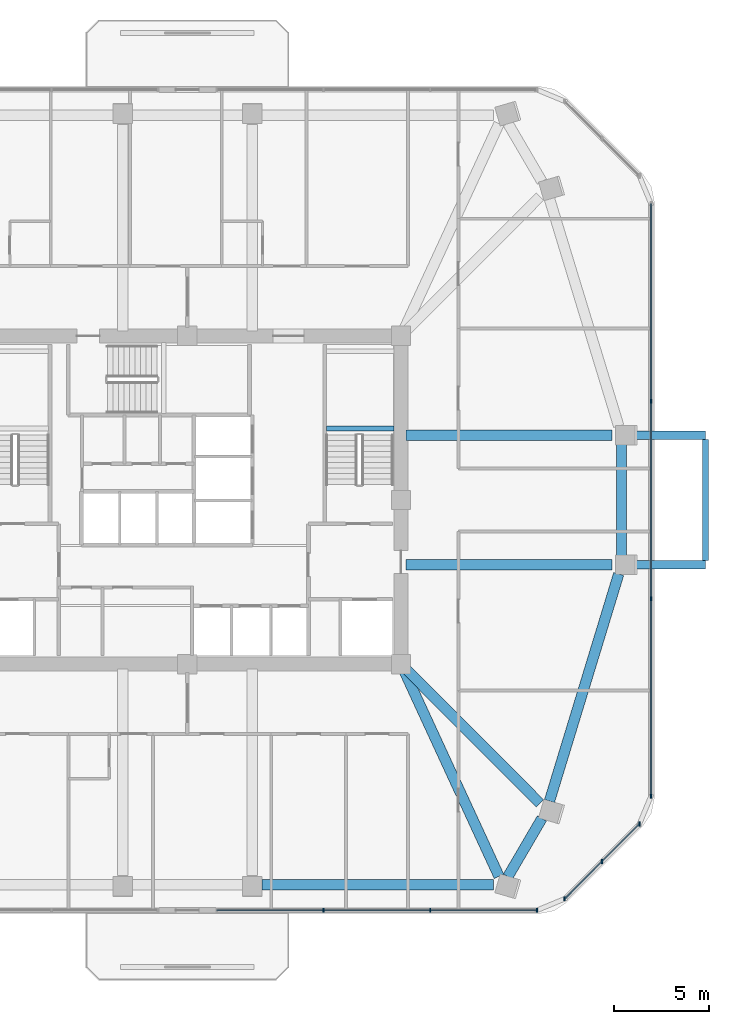
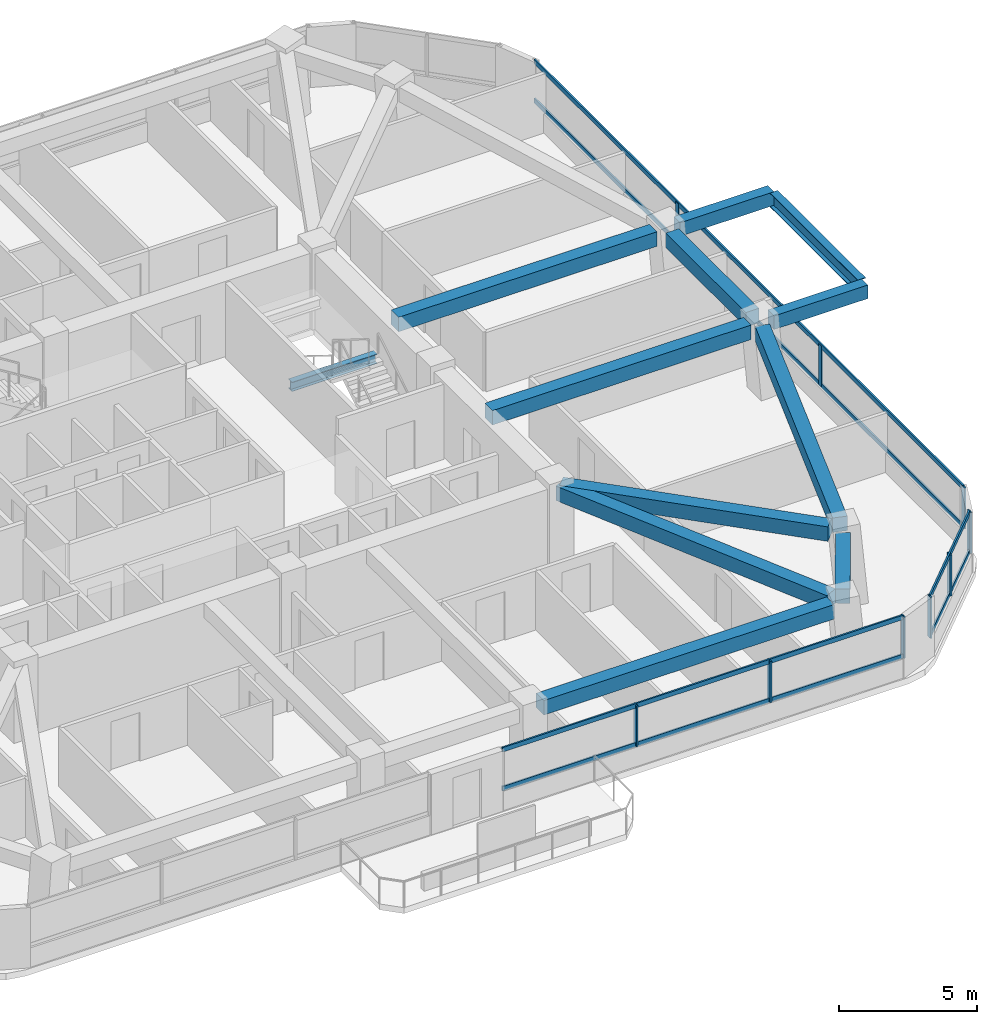
# One storey, part 4 of 13: 15 members, 12 beams, 3 elements without a shape of their own.
"""IFC4 building model written with IfcOpenShell, lengths in metres."""

from ifc_helpers import new_model, si_unit, derived_unit, direction, frame, origin, origin_2d, place, context, subcontext, project, spatial, rectangle, i_section, extrude, material, material_profile, profile_set, type_object, element, aggregate, save


model = new_model("IFC4")

# Units and contexts
model_context = context("Model", 3, precision=1e-05, world=origin(), true_north=direction((0.0, 1.0)))
body_context = subcontext(model_context, "Body", "Model", "MODEL_VIEW")
ifc_project = project(units=[si_unit("LENGTHUNIT", "METRE"), si_unit("AREAUNIT", "SQUARE_METRE"), si_unit("VOLUMEUNIT", "CUBIC_METRE"), si_unit("PLANEANGLEUNIT", "RADIAN"), si_unit("MASSUNIT", "GRAM", prefix="KILO"), derived_unit("THERMALTRANSMITTANCEUNIT", [(si_unit("POWERUNIT", "WATT"), 1), (si_unit("LENGTHUNIT", "METRE"), -2), (si_unit("THERMODYNAMICTEMPERATUREUNIT", "KELVIN"), -1)])], contexts=[model_context])

# Site, building, storey
site_placement = place(None, origin())
site = spatial("IfcSite", under=ifc_project, at=site_placement, CompositionType="ELEMENT")
building_placement = place(site_placement, origin())
building = spatial("IfcBuilding", under=site, at=building_placement, Name="Koralith Skygarden Medical Center", CompositionType="ELEMENT")
storey_placement = place(building_placement, frame((0.0, 0.0, 117.179931640625)))
storey = spatial("IfcBuildingStorey", under=building, at=storey_placement, Name="L30", CompositionType="ELEMENT", Elevation=117.179931640625)

# Curtain wall, members
ifc_material_1 = material(Name="Clear Laminated Glass", Category="glass")
curtain_wall_type = type_object("IfcCurtainWallType", Name="CW-3 Zone 2 Faceted Solar Curtain Wall", PredefinedType="NOTDEFINED", material=ifc_material_1)
curtain_wall_1_placement = place(storey_placement, origin())
curtain_wall_1 = element("IfcCurtainWall", 1, at=curtain_wall_1_placement, inside=storey, type_object=curtain_wall_type, Name="Curtain Wall CW-L30-S-R", PredefinedType="NOTDEFINED")
ifc_material_2 = material(Name="Aluminium 6063-T6", Category="aluminium")
ifc_material_profile_1 = material_profile(ifc_material_2, rectangle(XDim=0.073974609375, YDim=0.219970703125, at=origin_2d()), Name="MUL74X220")
ifc_profile_set_1 = profile_set([ifc_material_profile_1], Name="Aluminium 6063-T6")
member_type_1 = type_object("IfcMemberType", Name="CW-3 Extruded Mullion 74x220", PredefinedType="MULLION", material=ifc_profile_set_1)
member_1_placement = place(storey_placement, frame((44.135009765625, 4.387939453125, 0.85009765625), z_axis=(0.0, 0.0, 1.0), x_axis=(1.0, 0.0, 0.0)))
member_1 = element("IfcMember", 2, at=member_1_placement, type_object=member_type_1, Name="CW-L30-S-R Mullion 2", PredefinedType="MULLION", context=body_context, shape_type="SweptSolid", body=[
    extrude(rectangle(XDim=0.073974609375, YDim=0.219970703125, at=origin_2d()), origin(), (0.0, 0.0, 1.0), 1.820068359375),
])
member_2_placement = place(storey_placement, frame((49.73095703125, 4.387939453125, 0.85009765625), z_axis=(0.0, 0.0, 1.0), x_axis=(1.0, 0.0, 0.0)))
member_2 = element("IfcMember", 3, at=member_2_placement, type_object=member_type_1, Name="CW-L30-S-R Mullion 3", PredefinedType="MULLION", context=body_context, shape_type="SweptSolid", body=[
    extrude(rectangle(XDim=0.073974609375, YDim=0.219970703125, at=origin_2d()), origin(), (0.0, 0.0, 1.0), 1.820068359375),
])
member_3_placement = place(storey_placement, frame((55.325927734375, 4.387939453125, 0.85009765625), z_axis=(0.0, 0.0, 1.0), x_axis=(1.0, 0.0, 0.0)))
member_3 = element("IfcMember", 4, at=member_3_placement, type_object=member_type_1, Name="CW-L30-S-R Mullion 4", PredefinedType="MULLION", context=body_context, shape_type="SweptSolid", body=[
    extrude(rectangle(XDim=0.073974609375, YDim=0.219970703125, at=origin_2d()), origin(), (0.0, 0.0, 1.0), 1.820068359375),
])

curtain_wall_2_placement = place(storey_placement, origin())
curtain_wall_2 = element("IfcCurtainWall", 5, at=curtain_wall_2_placement, inside=storey, type_object=curtain_wall_type, Name="Curtain Wall CW-L30-SE", PredefinedType="NOTDEFINED")
member_4_placement = place(storey_placement, frame((56.777099609375, 4.989013671875, 0.85009765625), z_axis=(0.0, 0.0, 1.0), x_axis=(1.0, 0.0, 0.0)))
member_4 = element("IfcMember", 6, at=member_4_placement, type_object=member_type_1, Name="CW-L30-SE Mullion 1", PredefinedType="MULLION", context=body_context, shape_type="SweptSolid", body=[
    extrude(rectangle(XDim=0.073974609375, YDim=0.219970703125, at=origin_2d()), origin(), (0.0, 0.0, 1.0), 1.820068359375),
])
member_5_placement = place(storey_placement, frame((58.739013671875, 6.949951171875, 0.85009765625), z_axis=(0.0, 0.0, 1.0), x_axis=(1.0, 0.0, 0.0)))
member_5 = element("IfcMember", 7, at=member_5_placement, type_object=member_type_1, Name="CW-L30-SE Mullion 2", PredefinedType="MULLION", context=body_context, shape_type="SweptSolid", body=[
    extrude(rectangle(XDim=0.073974609375, YDim=0.219970703125, at=origin_2d()), origin(), (0.0, 0.0, 1.0), 1.820068359375),
])
member_6_placement = place(storey_placement, frame((60.699951171875, 8.912109375, 0.85009765625), z_axis=(0.0, 0.0, 1.0), x_axis=(1.0, 0.0, 0.0)))
member_6 = element("IfcMember", 8, at=member_6_placement, type_object=member_type_1, Name="CW-L30-SE Mullion 3", PredefinedType="MULLION", context=body_context, shape_type="SweptSolid", body=[
    extrude(rectangle(XDim=0.073974609375, YDim=0.219970703125, at=origin_2d()), origin(), (0.0, 0.0, 1.0), 1.820068359375),
])

curtain_wall_3_placement = place(storey_placement, origin())
curtain_wall_3 = element("IfcCurtainWall", 9, at=curtain_wall_3_placement, inside=storey, type_object=curtain_wall_type, Name="Curtain Wall CW-L30-E", PredefinedType="NOTDEFINED")
member_7_placement = place(storey_placement, frame((61.302001953125, 10.363037109375, 0.85009765625), z_axis=(0.0, 0.0, 1.0), x_axis=(1.0, 0.0, 0.0)))
member_7 = element("IfcMember", 10, at=member_7_placement, type_object=member_type_1, Name="CW-L30-E Mullion 1", PredefinedType="MULLION", context=body_context, shape_type="SweptSolid", body=[
    extrude(rectangle(XDim=0.073974609375, YDim=0.219970703125, at=origin_2d()), origin(), (0.0, 0.0, 1.0), 1.820068359375),
])
member_8_placement = place(storey_placement, frame((61.302001953125, 20.720947265625, 0.85009765625), z_axis=(0.0, 0.0, 1.0), x_axis=(1.0, 0.0, 0.0)))
member_8 = element("IfcMember", 11, at=member_8_placement, type_object=member_type_1, Name="CW-L30-E Mullion 2", PredefinedType="MULLION", context=body_context, shape_type="SweptSolid", body=[
    extrude(rectangle(XDim=0.073974609375, YDim=0.219970703125, at=origin_2d()), origin(), (0.0, 0.0, 1.0), 1.820068359375),
])
member_9_placement = place(storey_placement, frame((61.302001953125, 31.0791015625, 0.85009765625), z_axis=(0.0, 0.0, 1.0), x_axis=(1.0, 0.0, 0.0)))
member_9 = element("IfcMember", 12, at=member_9_placement, type_object=member_type_1, Name="CW-L30-E Mullion 3", PredefinedType="MULLION", context=body_context, shape_type="SweptSolid", body=[
    extrude(rectangle(XDim=0.073974609375, YDim=0.219970703125, at=origin_2d()), origin(), (0.0, 0.0, 1.0), 1.820068359375),
])

# Member
ifc_material_profile_2 = material_profile(ifc_material_2, rectangle(XDim=0.069091796875, YDim=0.197998046875, at=origin_2d()), Name="TRN69X198")
ifc_profile_set_2 = profile_set([ifc_material_profile_2], Name="Aluminium 6063-T6")
member_type_2 = type_object("IfcMemberType", Name="CW-3 Thermal Transom 69x198", PredefinedType="USERDEFINED", material=ifc_profile_set_2)
member_10_placement = place(storey_placement, frame((38.5400390625, 4.387939453125, 0.900146484375), z_axis=(1.0, 0.0, 0.0), x_axis=(0.0, 1.0, 0.0)))
member_10 = element("IfcMember", 13, at=member_10_placement, type_object=member_type_2, Name="CW-L30-S-R Transom 1", ObjectType="TRANSOM", PredefinedType="USERDEFINED", context=body_context, shape_type="SweptSolid", body=[
    extrude(rectangle(XDim=0.069091796875, YDim=0.197998046875, at=origin_2d()), origin(), (0.0, 0.0, 1.0), 16.785888671875),
])

member_11_placement = place(storey_placement, frame((38.5400390625, 4.387939453125, 2.6201171875), z_axis=(1.0, 0.0, 0.0), x_axis=(0.0, 1.0, 0.0)))
member_11 = element("IfcMember", 14, at=member_11_placement, type_object=member_type_2, Name="CW-L30-S-R Transom 2", ObjectType="TRANSOM", PredefinedType="USERDEFINED", context=body_context, shape_type="SweptSolid", body=[
    extrude(rectangle(XDim=0.069091796875, YDim=0.197998046875, at=origin_2d()), origin(), (0.0, 0.0, 1.0), 16.785888671875),
])

aggregate(curtain_wall_1, [member_1, member_2, member_3, member_10, member_11])

member_12_placement = place(storey_placement, frame((56.777099609375, 4.989013671875, 0.900146484375), z_axis=(0.707084777957, 0.707128783731, 0.0), x_axis=(-0.707128783731, 0.707084777957, 0.0)))
member_12 = element("IfcMember", 15, at=member_12_placement, type_object=member_type_2, Name="CW-L30-SE Transom 1", ObjectType="TRANSOM", PredefinedType="USERDEFINED", context=body_context, shape_type="SweptSolid", body=[
    extrude(rectangle(XDim=0.069091796875, YDim=0.197998046875, at=origin_2d()), origin(), (0.0, 0.0, 1.0), 5.5478515625),
])

member_13_placement = place(storey_placement, frame((56.777099609375, 4.989013671875, 2.6201171875), z_axis=(0.707084777957, 0.707128783731, 0.0), x_axis=(-0.707128783731, 0.707084777957, 0.0)))
member_13 = element("IfcMember", 16, at=member_13_placement, type_object=member_type_2, Name="CW-L30-SE Transom 2", ObjectType="TRANSOM", PredefinedType="USERDEFINED", context=body_context, shape_type="SweptSolid", body=[
    extrude(rectangle(XDim=0.069091796875, YDim=0.197998046875, at=origin_2d()), origin(), (0.0, 0.0, 1.0), 5.5478515625),
])

aggregate(curtain_wall_2, [member_4, member_5, member_6, member_12, member_13])

member_14_placement = place(storey_placement, frame((61.302001953125, 10.363037109375, 0.900146484375), z_axis=(0.0, 1.0, 0.0), x_axis=(-1.0, 0.0, 0.0)))
member_14 = element("IfcMember", 17, at=member_14_placement, type_object=member_type_2, Name="CW-L30-E Transom 1", ObjectType="TRANSOM", PredefinedType="USERDEFINED", context=body_context, shape_type="SweptSolid", body=[
    extrude(rectangle(XDim=0.069091796875, YDim=0.197998046875, at=origin_2d()), origin(), (0.0, 0.0, 1.0), 31.073974609375),
])

member_15_placement = place(storey_placement, frame((61.302001953125, 10.363037109375, 2.6201171875), z_axis=(0.0, 1.0, 0.0), x_axis=(-1.0, 0.0, 0.0)))
member_15 = element("IfcMember", 18, at=member_15_placement, type_object=member_type_2, Name="CW-L30-E Transom 2", ObjectType="TRANSOM", PredefinedType="USERDEFINED", context=body_context, shape_type="SweptSolid", body=[
    extrude(rectangle(XDim=0.069091796875, YDim=0.197998046875, at=origin_2d()), origin(), (0.0, 0.0, 1.0), 31.073974609375),
])

aggregate(curtain_wall_3, [member_7, member_8, member_9, member_14, member_15])

# Beams
ifc_material_3 = material(Name="Steel ASTM A992 Grade 50", Category="steel")
ifc_material_profile_3 = material_profile(ifc_material_3, i_section(OverallWidth=0.326904296875, OverallDepth=0.6220703125, WebThickness=0.015380859375, FlangeThickness=0.0244140625, at=origin_2d()), Name="W24X131")
ifc_profile_set_3 = profile_set([ifc_material_profile_3], Name="Steel ASTM A992 Grade 50")
beam_type_1 = type_object("IfcBeamType", Name="Cantilever Tie Beam W24X131", PredefinedType="BEAM", material=ifc_profile_set_3)
beam_1_placement = place(storey_placement, frame((64.169921875, 22.719970703125, 3.029052734375), z_axis=(0.0, 1.0, 0.0), x_axis=(-1.0, 0.0, 0.0)))
element("IfcBeam", 19, at=beam_1_placement, inside=storey, type_object=beam_type_1, Name="L31 E Balcony Tip Tie Beam", PredefinedType="BEAM", context=body_context, shape_type="SweptSolid", body=[
    extrude(i_section(OverallWidth=0.326904296875, OverallDepth=0.6220703125, WebThickness=0.015380859375, FlangeThickness=0.0244140625, at=origin_2d()), origin(), (0.0, 0.0, 1.0), 6.360107421875),
])
ifc_material_profile_4 = material_profile(ifc_material_3, i_section(OverallWidth=0.260009765625, OverallDepth=0.4150390625, WebThickness=0.010009765625, FlangeThickness=0.016845703125, at=origin_2d()), Name="W16X67")
ifc_profile_set_4 = profile_set([ifc_material_profile_4], Name="Steel ASTM A992 Grade 50")
beam_type_2 = type_object("IfcBeamType", Name="Clinical Floor Joist W16X67", PredefinedType="JOIST", material=ifc_profile_set_4)
beam_2_placement = place(storey_placement, frame((44.280029296875, 29.659912109375, 1.39306640625), z_axis=(1.0, 0.0, 0.0), x_axis=(0.0, 1.0, 0.0)))
element("IfcBeam", 20, at=beam_2_placement, inside=storey, type_object=beam_type_2, Name="L30 Stair ST2 Half-Landing Support Beam 1A", PredefinedType="JOIST", context=body_context, shape_type="SweptSolid", body=[
    extrude(i_section(OverallWidth=0.260009765625, OverallDepth=0.4150390625, WebThickness=0.010009765625, FlangeThickness=0.016845703125, at=origin_2d()), origin(), (0.0, 0.0, 1.0), 3.56494140625),
])
ifc_material_4 = material(Name="Concrete C45/55", Category="concrete")
ifc_material_profile_5 = material_profile(ifc_material_4, rectangle(XDim=0.449951171875, YDim=0.60009765625, at=origin_2d()), Name="RCB450X600")
ifc_profile_set_5 = profile_set([ifc_material_profile_5], Name="Concrete C45/55")
beam_type_3 = type_object("IfcBeamType", Name="Planted Balcony Cantilever Beam RCB450X600", PredefinedType="BEAM", material=ifc_profile_set_5)
for number, where, z_axis, x_axis, name in (
    (21, (60.25, 22.5, 3.0400390625), (1.0, 0.0, 0.0), (0.0, 1.0, 0.0), "L31 E Balcony Cantilever Beam A"),
    (22, (60.25, 29.300048828125, 3.0400390625), (1.0, 0.0, 0.0), (0.0, 1.0, 0.0), "L31 E Balcony Cantilever Beam B"),
):
    element("IfcBeam", number, at=place(storey_placement, frame(where, z_axis=z_axis, x_axis=x_axis)), inside=storey, type_object=beam_type_3, Name=name, PredefinedType="BEAM", context=body_context, shape_type="SweptSolid", body=[
        extrude(rectangle(XDim=0.449951171875, YDim=0.60009765625, at=origin_2d()), origin(), (0.0, 0.0, 1.0), 3.919921875),
    ])
ifc_material_profile_6 = material_profile(ifc_material_4, rectangle(XDim=0.550048828125, YDim=0.639892578125, at=origin_2d()), Name="RCB550X640")
ifc_profile_set_6 = profile_set([ifc_material_profile_6], Name="Concrete C45/55")
beam_type_4 = type_object("IfcBeamType", Name="Radial Collector Beam RCB550X640", PredefinedType="BEAM", material=ifc_profile_set_6)
beam_3_placement = place(storey_placement, frame((48.304931640625, 17.072998046875, 3.0), z_axis=(0.419111035771, -0.907934986491, 0.0), x_axis=(0.907934986491, 0.419111035771, 0.0)))
element("IfcBeam", 23, at=beam_3_placement, inside=storey, type_object=beam_type_4, Name="L30 Radial Collector Beam RB-06", PredefinedType="BEAM", context=body_context, shape_type="SweptSolid", body=[
    extrude(rectangle(XDim=0.550048828125, YDim=0.639892578125, at=origin_2d()), origin(), (0.0, 0.0, 1.0), 12.008544921875),
])
beam_4_placement = place(storey_placement, frame((48.3759765625, 17.123046875, 3.0), z_axis=(0.706015026084, -0.708196853243, 0.0), x_axis=(0.708196853243, 0.706015026084, 0.0)))
element("IfcBeam", 24, at=beam_4_placement, inside=storey, type_object=beam_type_4, Name="L30 Radial Collector Beam RB-07", PredefinedType="BEAM", context=body_context, shape_type="SweptSolid", body=[
    extrude(rectangle(XDim=0.550048828125, YDim=0.639892578125, at=origin_2d()), origin(), (0.0, 0.0, 1.0), 10.07080078125),
])
for number, where, z_axis, x_axis, name in (
    (25, (48.449951171875, 22.5, 3.0), (1.0, 0.0, 0.0), (0.0, 1.0, 0.0), "L30 Radial Collector Beam RB-08"),
    (26, (48.449951171875, 29.300048828125, 3.0), (1.0, 0.0, 0.0), (0.0, 1.0, 0.0), "L30 Radial Collector Beam RB-09"),
):
    element("IfcBeam", number, at=place(storey_placement, frame(where, z_axis=z_axis, x_axis=x_axis)), inside=storey, type_object=beam_type_4, Name=name, PredefinedType="BEAM", context=body_context, shape_type="SweptSolid", body=[
        extrude(rectangle(XDim=0.550048828125, YDim=0.639892578125, at=origin_2d()), origin(), (0.0, 0.0, 1.0), 10.81005859375),
    ])
ifc_material_profile_7 = material_profile(ifc_material_4, rectangle(XDim=0.550048828125, YDim=0.639892578125, at=origin_2d()), Name="RCB550X640")
ifc_profile_set_7 = profile_set([ifc_material_profile_7], Name="Concrete C45/55")
beam_type_5 = type_object("IfcBeamType", Name="Zone 2-3 Spandrel Beam RCB550X640", PredefinedType="SPANDREL", material=ifc_profile_set_7)
beam_5_placement = place(storey_placement, frame((40.89990234375, 5.716064453125, 3.0), z_axis=(1.0, 0.0, 0.0), x_axis=(0.0, 1.0, 0.0)))
element("IfcBeam", 27, at=beam_5_placement, inside=storey, type_object=beam_type_5, Name="L30 Perimeter Spandrel Beam SP-05", PredefinedType="SPANDREL", context=body_context, shape_type="SweptSolid", body=[
    extrude(rectangle(XDim=0.550048828125, YDim=0.639892578125, at=origin_2d()), origin(), (0.0, 0.0, 1.0), 12.148193359375),
])
beam_6_placement = place(storey_placement, frame((53.800048828125, 6.14794921875, 3.0), z_axis=(0.504616741927, 0.863343468016, 0.0), x_axis=(-0.863343468016, 0.504616741927, 0.0)))
element("IfcBeam", 28, at=beam_6_placement, inside=storey, type_object=beam_type_5, Name="L30 Perimeter Spandrel Beam SP-06", PredefinedType="SPANDREL", context=body_context, shape_type="SweptSolid", body=[
    extrude(rectangle(XDim=0.550048828125, YDim=0.639892578125, at=origin_2d()), origin(), (0.0, 0.0, 1.0), 3.541015625),
])
beam_7_placement = place(storey_placement, frame((55.985107421875, 10.114990234375, 3.0), z_axis=(0.29153231272, 0.95656098114, 0.0), x_axis=(-0.95656098114, 0.29153231272, 0.0)))
element("IfcBeam", 29, at=beam_7_placement, inside=storey, type_object=beam_type_5, Name="L30 Perimeter Spandrel Beam SP-07", PredefinedType="SPANDREL", context=body_context, shape_type="SweptSolid", body=[
    extrude(rectangle(XDim=0.550048828125, YDim=0.639892578125, at=origin_2d()), origin(), (0.0, 0.0, 1.0), 12.44775390625),
])
beam_8_placement = place(storey_placement, frame((59.760009765625, 23.0, 3.0), z_axis=(0.0, 1.0, 0.0), x_axis=(-1.0, 0.0, 0.0)))
element("IfcBeam", 30, at=beam_8_placement, inside=storey, type_object=beam_type_5, Name="L30 Perimeter Spandrel Beam SP-08", PredefinedType="SPANDREL", context=body_context, shape_type="SweptSolid", body=[
    extrude(rectangle(XDim=0.550048828125, YDim=0.639892578125, at=origin_2d()), origin(), (0.0, 0.0, 1.0), 5.800048828125),
])

save(model, "model.ifc")
